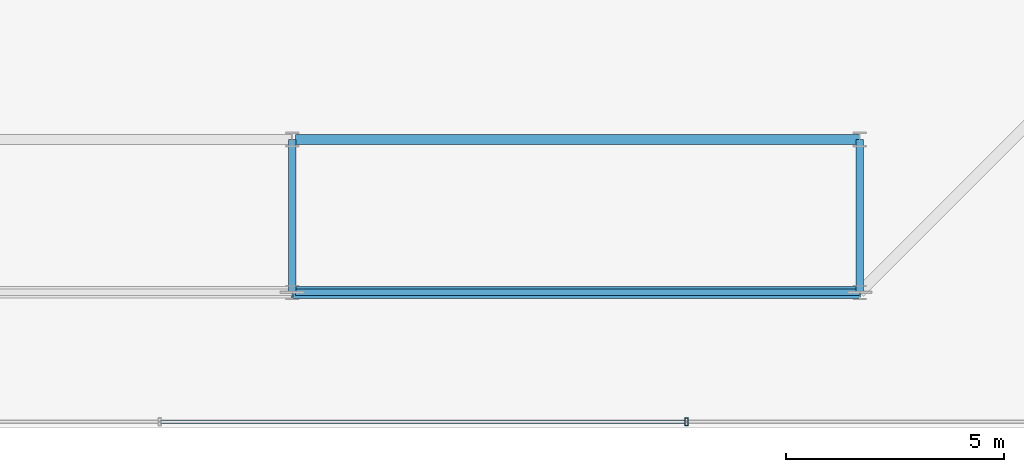
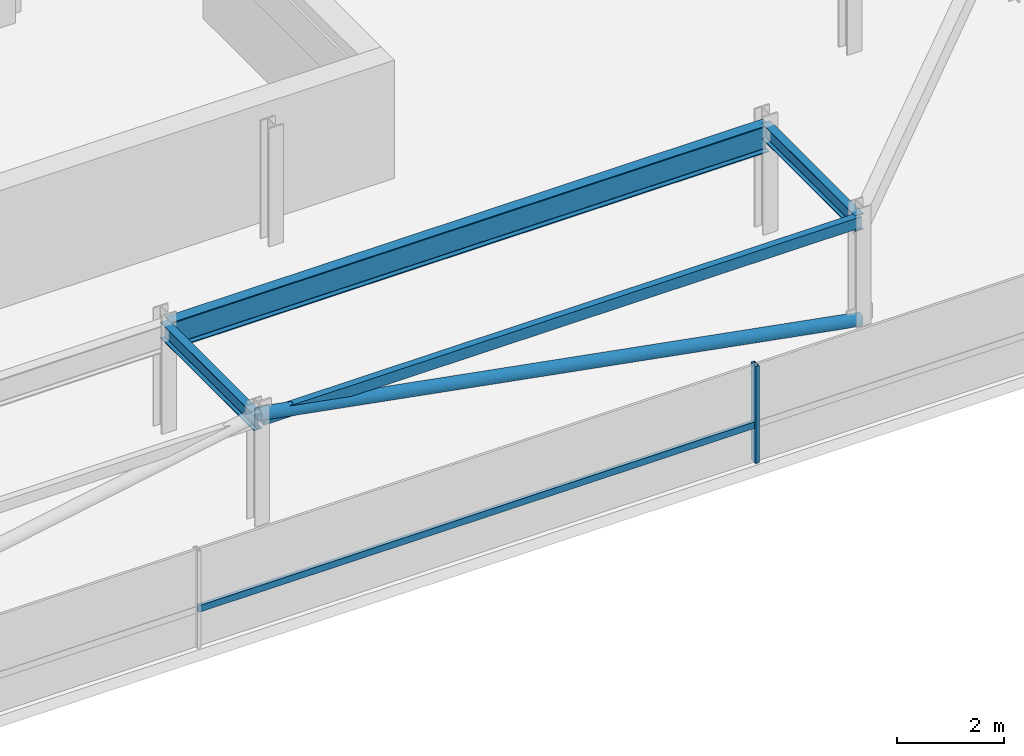
# One storey, part 10 of 42: 4 beams, 3 members, 1 element without a shape of its own.
"""IFC4 building model written with IfcOpenShell, lengths in metres."""

from ifc_helpers import new_model, si_unit, direction, frame, origin, origin_2d, place, context, subcontext, project, spatial, hollow_rectangle, hollow_circle, i_section, extrude, material, material_profile, profile_set, type_object, element, aggregate, save


model = new_model("IFC4")

# Units and contexts
model_context = context("Model", 3, precision=1e-05, world=origin(), true_north=direction((0.0, 1.0)))
body_context = subcontext(model_context, "Body", "Model", "MODEL_VIEW")
ifc_project = project(units=[si_unit("LENGTHUNIT", "METRE"), si_unit("AREAUNIT", "SQUARE_METRE"), si_unit("VOLUMEUNIT", "CUBIC_METRE"), si_unit("PLANEANGLEUNIT", "RADIAN"), si_unit("MASSUNIT", "GRAM", prefix="KILO")], contexts=[model_context])

# Site, building, storey
site_placement = place(None, origin())
site = spatial("IfcSite", under=ifc_project, at=site_placement, CompositionType="ELEMENT")
building_placement = place(site_placement, origin())
building = spatial("IfcBuilding", under=site, at=building_placement, Name="Thornwick Lancets Civic Towers", CompositionType="ELEMENT")
storey_placement = place(building_placement, frame((0.0, 0.0, 289.5)))
storey = spatial("IfcBuildingStorey", under=building, at=storey_placement, Name="C04", CompositionType="ELEMENT", Elevation=289.5)

# Beams
ifc_material_1 = material(Name="Steel S355JR", Category="steel")
ifc_material_profile_1 = material_profile(ifc_material_1, hollow_rectangle(XDim=0.14990234375, YDim=0.25, WallThickness=0.012451171875, at=origin_2d()), Name="RHS 250x150x12.5")
ifc_profile_set_1 = profile_set([ifc_material_profile_1], Name="Steel S355JR")
beam_type_1 = type_object("IfcBeamType", Name="BM_CROWN_RHS250", PredefinedType="BEAM", material=ifc_profile_set_1)
beam_1_placement = place(storey_placement, frame((25.580078125, 6.199951171875, 2.31494140625), z_axis=(1.0, 0.0, 0.0), x_axis=(0.0, 1.0, 0.0)))
element("IfcBeam", 1, at=beam_1_placement, inside=storey, type_object=beam_type_1, Name="BM-EDGE-C04-A-S0-2", PredefinedType="BEAM", context=body_context, shape_type="SweptSolid", body=[
    extrude(hollow_rectangle(XDim=0.14990234375, YDim=0.25, WallThickness=0.012451171875, at=origin_2d()), origin(), (0.0, 0.0, 1.0), 12.919921875),
])
ifc_material_profile_2 = material_profile(ifc_material_1, i_section(OverallWidth=0.230224609375, OverallDepth=0.6171875, WebThickness=0.01318359375, FlangeThickness=0.022216796875, FilletRadius=0.0126953125, at=origin_2d()), Name="UKB 610x229x140")
ifc_profile_set_2 = profile_set([ifc_material_profile_2], Name="Steel S355JR")
beam_type_2 = type_object("IfcBeamType", Name="BM_GIRD_610_140", PredefinedType="BEAM", material=ifc_profile_set_2)
beam_2_placement = place(storey_placement, frame((25.580078125, 9.699951171875, 2.13134765625), z_axis=(1.0, 0.0, 0.0), x_axis=(0.0, 1.0, 0.0)))
element("IfcBeam", 2, at=beam_2_placement, inside=storey, type_object=beam_type_2, Name="BM-SPINE-C04-A-1-2", PredefinedType="BEAM", context=body_context, shape_type="SweptSolid", body=[
    extrude(i_section(OverallWidth=0.230224609375, OverallDepth=0.6171875, WebThickness=0.01318359375, FlangeThickness=0.022216796875, FilletRadius=0.0126953125, at=origin_2d()), origin(), (0.0, 0.0, 1.0), 12.919921875),
])
ifc_material_profile_3 = material_profile(ifc_material_1, i_section(OverallWidth=0.173095703125, OverallDepth=0.36328125, WebThickness=0.009033203125, FlangeThickness=0.015625, FilletRadius=0.01025390625, at=origin_2d()), Name="UKB 356x171x67")
ifc_profile_set_3 = profile_set([ifc_material_profile_3], Name="Steel S355JR")
beam_type_3 = type_object("IfcBeamType", Name="BM_JOIST_356_67", PredefinedType="JOIST", material=ifc_profile_set_3)
for number, where, z_axis, x_axis, name in (
    (3, (25.5, 9.699951171875, 2.25830078125), (0.0, -1.0, 0.0), (1.0, 0.0, 0.0), "BM-RAD-C04-A02"),
    (4, (38.5, 9.699951171875, 2.25830078125), (0.0, -1.0, 0.0), (1.0, 0.0, 0.0), "BM-RAD-C04-A03"),
):
    element("IfcBeam", number, at=place(storey_placement, frame(where, z_axis=z_axis, x_axis=x_axis)), inside=storey, type_object=beam_type_3, Name=name, PredefinedType="JOIST", context=body_context, shape_type="SweptSolid", body=[
        extrude(i_section(OverallWidth=0.173095703125, OverallDepth=0.36328125, WebThickness=0.009033203125, FlangeThickness=0.015625, FilletRadius=0.01025390625, at=origin_2d()), origin(), (0.0, 0.0, 1.0), 3.5),
    ])

# Curtain wall, members
ifc_material_2 = material(Name="Crown ring acoustic-louvre and glazing screen wall", Category="glass")
curtain_wall_type = type_object("IfcCurtainWallType", Name="CW_SYS_07", PredefinedType="NOTDEFINED", material=ifc_material_2)
curtain_wall_placement = place(storey_placement, origin())
curtain_wall = element("IfcCurtainWall", 5, at=curtain_wall_placement, inside=storey, type_object=curtain_wall_type, Name="C04 Curtain Wall CW-C04-A-E0", PredefinedType="NOTDEFINED")
ifc_material_3 = material(Name="Thermally broken bronze aluminium S355", Category="steel")
ifc_material_profile_4 = material_profile(ifc_material_3, hollow_rectangle(XDim=0.074951171875, YDim=0.179931640625, WallThickness=0.006103515625, at=origin_2d()), Name="RHS 180x75x6")
ifc_profile_set_4 = profile_set([ifc_material_profile_4], Name="Thermally broken bronze aluminium S355")
member_type_1 = type_object("IfcMemberType", Name="CW_MUL_180", PredefinedType="MULLION", material=ifc_profile_set_4)
member_1_placement = place(storey_placement, frame((34.53369140625, 3.2353515625, 0.0), z_axis=(0.0, 0.0, 1.0), x_axis=(1.0, 0.0, 0.0)))
member_1 = element("IfcMember", 6, at=member_1_placement, type_object=member_type_1, Name="CW-C04-A-E0 Mullion 2", PredefinedType="MULLION", context=body_context, shape_type="SweptSolid", body=[
    extrude(hollow_rectangle(XDim=0.074951171875, YDim=0.179931640625, WallThickness=0.006103515625, at=origin_2d()), origin(), (0.0, 0.0, 1.0), 2.219970703125),
])
ifc_material_profile_5 = material_profile(ifc_material_3, hollow_rectangle(XDim=0.074951171875, YDim=0.14990234375, WallThickness=0.0048828125, at=origin_2d()), Name="RHS 150x75x5")
ifc_profile_set_5 = profile_set([ifc_material_profile_5], Name="Thermally broken bronze aluminium S355")
member_type_2 = type_object("IfcMemberType", Name="CW_TRN_150", PredefinedType="USERDEFINED", material=ifc_profile_set_5)
member_2_placement = place(storey_placement, frame((22.486083984375, 3.2353515625, 0.85009765625), z_axis=(1.0, 0.0, 0.0), x_axis=(0.0, 1.0, 0.0)))
member_2 = element("IfcMember", 7, at=member_2_placement, type_object=member_type_2, Name="CW-C04-A-E0 Transom 1", ObjectType="TRANSOM", PredefinedType="USERDEFINED", context=body_context, shape_type="SweptSolid", body=[
    extrude(hollow_rectangle(XDim=0.074951171875, YDim=0.14990234375, WallThickness=0.0048828125, at=origin_2d()), origin(), (0.0, 0.0, 1.0), 12.02783203125),
])
aggregate(curtain_wall, [member_1, member_2])

# Member
ifc_material_profile_6 = material_profile(ifc_material_1, hollow_circle(Radius=0.136474609375, WallThickness=0.012451171875, at=origin_2d()), Name="CHS 273x12.5")
ifc_profile_set_6 = profile_set([ifc_material_profile_6], Name="Steel S355JR")
member_type_3 = type_object("IfcMemberType", Name="MEM_CROWN_CHS273", PredefinedType="BRACE", material=ifc_profile_set_6)
member_3_placement = place(storey_placement, frame((38.5, 6.199951171875, 0.050048828125), z_axis=(-0.98351842104, 0.0, 0.180807951915), x_axis=(0.0, -1.0, 0.0)))
element("IfcMember", 8, at=member_3_placement, inside=storey, type_object=member_type_3, Name="C04 Crown Ring Lancet Rib A-S0-R", PredefinedType="BRACE", context=body_context, shape_type="SweptSolid", body=[
    extrude(hollow_circle(Radius=0.136474609375, WallThickness=0.012451171875, at=origin_2d()), origin(), (0.0, 0.0, 1.0), 13.2177734375),
])

save(model, "model.ifc")
